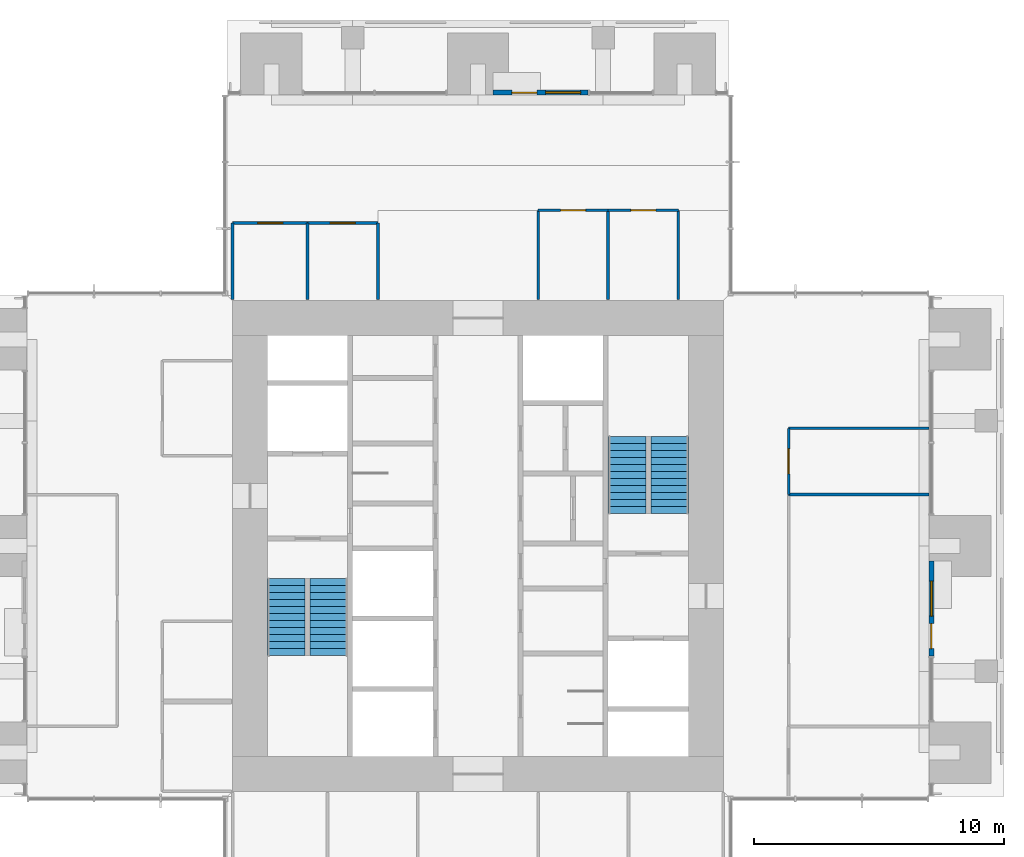
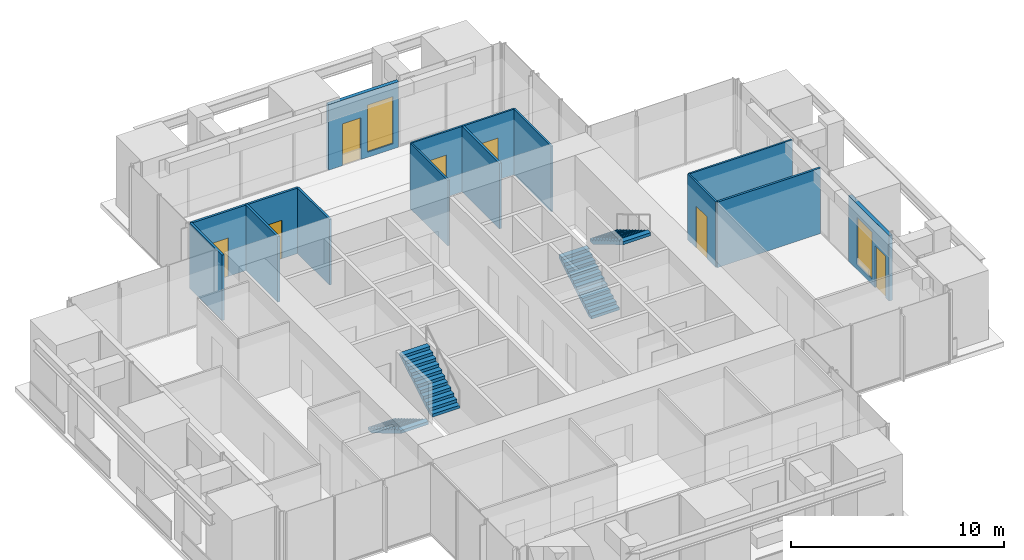
# One storey, part 14 of 17: 15 walls, 7 doors, 4 stair flights, 2 windows, 9 openings, 2 elements without a shape of their own.
"""IFC4 building model written with IfcOpenShell, lengths in metres."""

from ifc_helpers import new_model, si_unit, direction, frame, frame_2d, origin, place, context, subcontext, project, spatial, polyline, rectangle, outline, extrude, material, layer, layer_set, type_object, element, fill, aggregate, save


model = new_model("IFC4")

# Units and contexts
model_context = context("Model", 3, precision=1e-05, world=origin(), true_north=direction((0.0, 1.0)))
body_context = subcontext(model_context, "Body", "Model", "MODEL_VIEW")
ifc_project = project(units=[si_unit("LENGTHUNIT", "METRE"), si_unit("AREAUNIT", "SQUARE_METRE"), si_unit("VOLUMEUNIT", "CUBIC_METRE"), si_unit("PLANEANGLEUNIT", "RADIAN"), si_unit("MASSUNIT", "GRAM", prefix="KILO")], contexts=[model_context])

# Site, building, storey
site_placement = place(None, origin())
site = spatial("IfcSite", under=ifc_project, at=site_placement, CompositionType="ELEMENT")
building_placement = place(site_placement, origin())
building = spatial("IfcBuilding", under=site, at=building_placement, Name="Svetlomir Tower", CompositionType="ELEMENT")
storey_placement = place(building_placement, frame((0.0, 0.0, 202.5)))
storey = spatial("IfcBuildingStorey", under=building, at=storey_placement, Name="L48", CompositionType="ELEMENT", Elevation=202.5)

# Wall, openings, door, window
ifc_material_1 = material(Name="Bronze anodised aluminium glazed screen", Category="aluminium")
ifc_layer_1 = layer(ifc_material_1, 0.199951171875)
ifc_layer_set_1 = layer_set([ifc_layer_1], Name="Bronze anodised aluminium glazed screen")
wall_type_1 = type_object("IfcWallType", Name="BALCONY SCREEN WALL 200", PredefinedType="USERDEFINED", material=ifc_layer_set_1)
wall_1_placement = place(storey_placement, frame((39.10009765625, 16.60009765625, 0.0), z_axis=(0.0, 0.0, 1.0), x_axis=(0.0, 1.0, 0.0)))
wall_1 = element("IfcWall", 1, at=wall_1_placement, inside=storey, type_object=wall_type_1, Name="Balcony screen E", ObjectType="GLAZED SCREEN", PredefinedType="USERDEFINED", context=body_context, shape_type="SweptSolid", body=[
    extrude(rectangle(XDim=3.7998046875, YDim=0.199951171875, at=frame_2d((1.89990234375, 0.0))), origin(), (0.0, 0.0, 1.0), 3.75),
])
opening_1_placement = place(wall_1_placement, frame((0.300048828125, 0.0, 0.0)))
opening_1 = element("IfcOpeningElement", 2, at=opening_1_placement, cuts=wall_1, Name="Opening BD", PredefinedType="OPENING", context=body_context, shape_type="SweptSolid", body=[
    extrude(rectangle(XDim=1.0, YDim=2.39990234375, at=frame_2d((0.5, 1.199951171875))), frame((0.0, 0.10986328125, 0.0), z_axis=(0.0, -1.0, 0.0), x_axis=(1.0, 0.0, 0.0)), (0.0, 0.0, 1.0), 0.219970703125),
])
opening_2_placement = place(wall_1_placement, frame((1.60009765625, 0.0, 0.300048828125)))
opening_2 = element("IfcOpeningElement", 3, at=opening_2_placement, cuts=wall_1, Name="Opening WS2", PredefinedType="OPENING", context=body_context, shape_type="SweptSolid", body=[
    extrude(rectangle(XDim=1.39990234375, YDim=2.699951171875, at=frame_2d((0.699951171875, 1.35009765625))), frame((0.0, 0.10986328125, 0.0), z_axis=(0.0, -1.0, 0.0), x_axis=(1.0, 0.0, 0.0)), (0.0, 0.0, 1.0), 0.219970703125),
])
ifc_material_2 = material(Name="Bronze anodised aluminium glazed door", Category="aluminium")
door_type_1 = type_object("IfcDoorType", Name="BALCONY DOOR BD 1000x2400", OperationType="SINGLE_SWING_LEFT", PredefinedType="DOOR", material=ifc_material_2)
door_1_placement = place(opening_1_placement, origin())
door_1 = element("IfcDoor", 4, at=door_1_placement, inside=storey, type_object=door_type_1, Name="Balcony screen E door", OperationType="SINGLE_SWING_LEFT", OverallHeight=2.39990234375, OverallWidth=1.0, PredefinedType="DOOR", context=body_context, shape_type="SweptSolid", body=[
    extrude(rectangle(XDim=1.0, YDim=2.39990234375, at=frame_2d((0.5, 1.199951171875))), frame((0.0, 0.02490234375, 0.0), z_axis=(0.0, -1.0, 0.0), x_axis=(1.0, 0.0, 0.0)), (0.0, 0.0, 1.0), 0.050048828125),
])
fill(opening_1, door_1)
ifc_material_3 = material(Name="Bronze anodised aluminium window", Category="aluminium")
window_type = type_object("IfcWindowType", Name="SCREEN WINDOW WS2 1400x2700", PartitioningType="SINGLE_PANEL", PredefinedType="WINDOW", material=ifc_material_3)
window_1_placement = place(opening_2_placement, origin())
window_1 = element("IfcWindow", 5, at=window_1_placement, inside=storey, type_object=window_type, Name="Balcony screen E window 1", OverallHeight=2.699951171875, OverallWidth=1.39990234375, PartitioningType="SINGLE_PANEL", PredefinedType="WINDOW", context=body_context, shape_type="SweptSolid", body=[
    extrude(rectangle(XDim=1.39990234375, YDim=2.699951171875, at=frame_2d((0.699951171875, 1.35009765625))), frame((0.0, 0.030029296875, 0.0), z_axis=(0.0, -1.0, 0.0), x_axis=(1.0, 0.0, 0.0)), (0.0, 0.0, 1.0), 0.06005859375),
])
fill(opening_2, window_1)

wall_2_placement = place(storey_placement, frame((25.39990234375, 39.10009765625, 0.0), z_axis=(0.0, 0.0, 1.0), x_axis=(-1.0, 0.0, 0.0)))
wall_2 = element("IfcWall", 6, at=wall_2_placement, inside=storey, type_object=wall_type_1, Name="Balcony screen N", ObjectType="GLAZED SCREEN", PredefinedType="USERDEFINED", context=body_context, shape_type="SweptSolid", body=[
    extrude(rectangle(XDim=3.7998046875, YDim=0.199951171875, at=frame_2d((1.89990234375, 0.0))), origin(), (0.0, 0.0, 1.0), 3.75),
])
opening_3_placement = place(wall_2_placement, frame((2.050048828125, 0.0, 0.0)))
opening_3 = element("IfcOpeningElement", 7, at=opening_3_placement, cuts=wall_2, Name="Opening BD", PredefinedType="OPENING", context=body_context, shape_type="SweptSolid", body=[
    extrude(rectangle(XDim=1.0, YDim=2.39990234375, at=frame_2d((0.5, 1.199951171875))), frame((0.0, 0.10986328125, 0.0), z_axis=(0.0, -1.0, 0.0), x_axis=(1.0, 0.0, 0.0)), (0.0, 0.0, 1.0), 0.219970703125),
])
opening_4_placement = place(wall_2_placement, frame((0.300048828125, 0.0, 0.300048828125)))
opening_4 = element("IfcOpeningElement", 8, at=opening_4_placement, cuts=wall_2, Name="Opening WS2", PredefinedType="OPENING", context=body_context, shape_type="SweptSolid", body=[
    extrude(rectangle(XDim=1.39990234375, YDim=2.699951171875, at=frame_2d((0.699951171875, 1.35009765625))), frame((0.0, 0.10986328125, 0.0), z_axis=(0.0, -1.0, 0.0), x_axis=(1.0, 0.0, 0.0)), (0.0, 0.0, 1.0), 0.219970703125),
])
door_2_placement = place(opening_3_placement, origin())
door_2 = element("IfcDoor", 9, at=door_2_placement, inside=storey, type_object=door_type_1, Name="Balcony screen N door", OperationType="SINGLE_SWING_LEFT", OverallHeight=2.39990234375, OverallWidth=1.0, PredefinedType="DOOR", context=body_context, shape_type="SweptSolid", body=[
    extrude(rectangle(XDim=1.0, YDim=2.39990234375, at=frame_2d((0.5, 1.199951171875))), frame((0.0, 0.02490234375, 0.0), z_axis=(0.0, -1.0, 0.0), x_axis=(1.0, 0.0, 0.0)), (0.0, 0.0, 1.0), 0.050048828125),
])
fill(opening_3, door_2)
window_2_placement = place(opening_4_placement, origin())
window_2 = element("IfcWindow", 10, at=window_2_placement, inside=storey, type_object=window_type, Name="Balcony screen N window 1", OverallHeight=2.699951171875, OverallWidth=1.39990234375, PartitioningType="SINGLE_PANEL", PredefinedType="WINDOW", context=body_context, shape_type="SweptSolid", body=[
    extrude(rectangle(XDim=1.39990234375, YDim=2.699951171875, at=frame_2d((0.699951171875, 1.35009765625))), frame((0.0, 0.030029296875, 0.0), z_axis=(0.0, -1.0, 0.0), x_axis=(1.0, 0.0, 0.0)), (0.0, 0.0, 1.0), 0.06005859375),
])
fill(opening_4, window_2)

# Wall
ifc_material_4 = material(Name="Framed laminated glass partition", Category="glass")
ifc_layer_2 = layer(ifc_material_4, 0.10009765625)
ifc_layer_set_2 = layer_set([ifc_layer_2], Name="Framed laminated glass partition")
wall_type_2 = type_object("IfcWallType", Name="GLAZED PARTITION 100", PredefinedType="PARTITIONING", material=ifc_layer_set_2)
wall_3_placement = place(storey_placement, frame((23.39990234375, 30.85009765625, 0.0), z_axis=(0.0, 0.0, 1.0), x_axis=(0.0, 1.0, 0.0)))
element("IfcWall", 11, at=wall_3_placement, inside=storey, type_object=wall_type_2, Name="Glazed partition L48", PredefinedType="PARTITIONING", context=body_context, shape_type="SweptSolid", body=[
    extrude(rectangle(XDim=3.5498046875, YDim=0.10009765625, at=frame_2d((1.77490234375, 0.0))), origin(), (0.0, 0.0, 1.0), 3.75),
])

# Wall, opening, door
wall_4_placement = place(storey_placement, frame((23.39990234375, 34.39990234375, 0.0), z_axis=(0.0, 0.0, 1.0), x_axis=(1.0, 0.0, 0.0)))
wall_4 = element("IfcWall", 12, at=wall_4_placement, inside=storey, type_object=wall_type_2, Name="Glazed partition L48", PredefinedType="PARTITIONING", context=body_context, shape_type="SweptSolid", body=[
    extrude(rectangle(XDim=2.800048828125, YDim=0.10009765625, at=frame_2d((1.39990234375, 0.0))), origin(), (0.0, 0.0, 1.0), 3.75),
])
opening_5_placement = place(wall_4_placement, frame((0.89990234375, 0.0, 0.0)))
opening_5 = element("IfcOpeningElement", 13, at=opening_5_placement, cuts=wall_4, Name="Opening DG", PredefinedType="OPENING", context=body_context, shape_type="SweptSolid", body=[
    extrude(rectangle(XDim=1.0, YDim=2.39990234375, at=frame_2d((0.5, 1.199951171875))), frame((0.0, 0.06005859375, 0.0), z_axis=(0.0, -1.0, 0.0), x_axis=(1.0, 0.0, 0.0)), (0.0, 0.0, 1.0), 0.1201171875),
])
ifc_material_5 = material(Name="Framed laminated glass door", Category="glass")
door_type_2 = type_object("IfcDoorType", Name="GLAZED DOOR DG 1000x2400", OperationType="SINGLE_SWING_LEFT", PredefinedType="DOOR", material=ifc_material_5)
door_3_placement = place(opening_5_placement, origin())
door_3 = element("IfcDoor", 14, at=door_3_placement, inside=storey, type_object=door_type_2, Name="Focus room 1 door L48", OperationType="SINGLE_SWING_LEFT", OverallHeight=2.39990234375, OverallWidth=1.0, PredefinedType="DOOR", context=body_context, shape_type="SweptSolid", body=[
    extrude(rectangle(XDim=1.0, YDim=2.39990234375, at=frame_2d((0.5, 1.199951171875))), frame((0.0, 0.02490234375, 0.0), z_axis=(0.0, -1.0, 0.0), x_axis=(1.0, 0.0, 0.0)), (0.0, 0.0, 1.0), 0.050048828125),
])
fill(opening_5, door_3)

wall_5_placement = place(storey_placement, frame((26.199951171875, 34.39990234375, 0.0), z_axis=(0.0, 0.0, 1.0), x_axis=(1.0, 0.0, 0.0)))
wall_5 = element("IfcWall", 15, at=wall_5_placement, inside=storey, type_object=wall_type_2, Name="Glazed partition L48", PredefinedType="PARTITIONING", context=body_context, shape_type="SweptSolid", body=[
    extrude(rectangle(XDim=2.800048828125, YDim=0.10009765625, at=frame_2d((1.39990234375, 0.0))), origin(), (0.0, 0.0, 1.0), 3.75),
])
opening_6_placement = place(wall_5_placement, frame((0.89990234375, 0.0, 0.0)))
opening_6 = element("IfcOpeningElement", 16, at=opening_6_placement, cuts=wall_5, Name="Opening DG", PredefinedType="OPENING", context=body_context, shape_type="SweptSolid", body=[
    extrude(rectangle(XDim=1.0, YDim=2.39990234375, at=frame_2d((0.5, 1.199951171875))), frame((0.0, 0.06005859375, 0.0), z_axis=(0.0, -1.0, 0.0), x_axis=(1.0, 0.0, 0.0)), (0.0, 0.0, 1.0), 0.1201171875),
])
door_4_placement = place(opening_6_placement, origin())
door_4 = element("IfcDoor", 17, at=door_4_placement, inside=storey, type_object=door_type_2, Name="Focus room 2 door L48", OperationType="SINGLE_SWING_RIGHT", OverallHeight=2.39990234375, OverallWidth=1.0, PredefinedType="DOOR", context=body_context, shape_type="SweptSolid", body=[
    extrude(rectangle(XDim=1.0, YDim=2.39990234375, at=frame_2d((0.5, 1.199951171875))), frame((0.0, 0.02490234375, 0.0), z_axis=(0.0, -1.0, 0.0), x_axis=(1.0, 0.0, 0.0)), (0.0, 0.0, 1.0), 0.050048828125),
])
fill(opening_6, door_4)

# Wall
wall_6_placement = place(storey_placement, frame((29.0, 30.85009765625, 0.0), z_axis=(0.0, 0.0, 1.0), x_axis=(0.0, 1.0, 0.0)))
element("IfcWall", 18, at=wall_6_placement, inside=storey, type_object=wall_type_2, Name="Glazed partition L48", PredefinedType="PARTITIONING", context=body_context, shape_type="SweptSolid", body=[
    extrude(rectangle(XDim=3.5498046875, YDim=0.10009765625, at=frame_2d((1.77490234375, 0.0))), origin(), (0.0, 0.0, 1.0), 3.75),
])

# Wall, opening, door
wall_7_placement = place(storey_placement, frame((33.39990234375, 23.050048828125, 0.0), z_axis=(0.0, 0.0, 1.0), x_axis=(0.0, 1.0, 0.0)))
wall_7 = element("IfcWall", 19, at=wall_7_placement, inside=storey, type_object=wall_type_2, Name="Glazed partition L48", PredefinedType="PARTITIONING", context=body_context, shape_type="SweptSolid", body=[
    extrude(rectangle(XDim=2.64990234375, YDim=0.10009765625, at=frame_2d((1.324951171875, 0.0))), origin(), (0.0, 0.0, 1.0), 3.75),
])
opening_7_placement = place(wall_7_placement, frame((0.824951171875, 0.0, 0.0)))
opening_7 = element("IfcOpeningElement", 20, at=opening_7_placement, cuts=wall_7, Name="Opening DG", PredefinedType="OPENING", context=body_context, shape_type="SweptSolid", body=[
    extrude(rectangle(XDim=1.0, YDim=2.39990234375, at=frame_2d((0.5, 1.199951171875))), frame((0.0, 0.06005859375, 0.0), z_axis=(0.0, -1.0, 0.0), x_axis=(1.0, 0.0, 0.0)), (0.0, 0.0, 1.0), 0.1201171875),
])
door_5_placement = place(opening_7_placement, origin())
door_5 = element("IfcDoor", 21, at=door_5_placement, inside=storey, type_object=door_type_2, Name="Retrospective room, 12 seats door L48", OperationType="SINGLE_SWING_RIGHT", OverallHeight=2.39990234375, OverallWidth=1.0, PredefinedType="DOOR", context=body_context, shape_type="SweptSolid", body=[
    extrude(rectangle(XDim=1.0, YDim=2.39990234375, at=frame_2d((0.5, 1.199951171875))), frame((0.0, 0.02490234375, 0.0), z_axis=(0.0, -1.0, 0.0), x_axis=(1.0, 0.0, 0.0)), (0.0, 0.0, 1.0), 0.050048828125),
])
fill(opening_7, door_5)

# Walls
wall_8_placement = place(storey_placement, frame((33.39990234375, 25.699951171875, 0.0), z_axis=(0.0, 0.0, 1.0), x_axis=(1.0, 0.0, 0.0)))
element("IfcWall", 22, at=wall_8_placement, inside=storey, type_object=wall_type_2, Name="Glazed partition L48", PredefinedType="PARTITIONING", context=body_context, shape_type="SweptSolid", body=[
    extrude(rectangle(XDim=5.60009765625, YDim=0.10009765625, at=frame_2d((2.800048828125, 0.0))), origin(), (0.0, 0.0, 1.0), 3.75),
])
ifc_material_6 = material(Name="Gypsum board on steel studs", Category="steel")
ifc_layer_3 = layer(ifc_material_6, 0.1201171875)
ifc_layer_set_3 = layer_set([ifc_layer_3], Name="Gypsum board on steel studs")
wall_type_3 = type_object("IfcWallType", Name="PARTITION 120", PredefinedType="PARTITIONING", material=ifc_layer_set_3)
wall_9_placement = place(storey_placement, frame((11.199951171875, 30.85009765625, 0.0), z_axis=(0.0, 0.0, 1.0), x_axis=(0.0, 1.0, 0.0)))
element("IfcWall", 23, at=wall_9_placement, inside=storey, type_object=wall_type_3, Name="Partition L48", PredefinedType="PARTITIONING", context=body_context, shape_type="SweptSolid", body=[
    extrude(rectangle(XDim=3.0498046875, YDim=0.1201171875, at=frame_2d((1.52490234375, 0.0))), origin(), (0.0, 0.0, 1.0), 3.75),
])

# Wall, opening, door
wall_10_placement = place(storey_placement, frame((11.199951171875, 33.89990234375, 0.0), z_axis=(0.0, 0.0, 1.0), x_axis=(1.0, 0.0, 0.0)))
wall_10 = element("IfcWall", 24, at=wall_10_placement, inside=storey, type_object=wall_type_3, Name="Partition L48", PredefinedType="PARTITIONING", context=body_context, shape_type="SweptSolid", body=[
    extrude(rectangle(XDim=3.0, YDim=0.1201171875, at=frame_2d((1.5, 0.0))), origin(), (0.0, 0.0, 1.0), 3.75),
])
opening_8_placement = place(wall_10_placement, frame((1.0, 0.0, 0.0)))
opening_8 = element("IfcOpeningElement", 25, at=opening_8_placement, cuts=wall_10, Name="Opening DR", PredefinedType="OPENING", context=body_context, shape_type="SweptSolid", body=[
    extrude(rectangle(XDim=1.0, YDim=2.199951171875, at=frame_2d((0.5, 1.10009765625))), frame((0.0, 0.070068359375, 0.0), z_axis=(0.0, -1.0, 0.0), x_axis=(1.0, 0.0, 0.0)), (0.0, 0.0, 1.0), 0.14013671875),
])
ifc_material_7 = material(Name="Timber door, glazed side light", Category="wood")
door_type_3 = type_object("IfcDoorType", Name="DOOR DR 1000x2200", OperationType="SINGLE_SWING_LEFT", PredefinedType="DOOR", material=ifc_material_7)
door_6_placement = place(opening_8_placement, origin())
door_6 = element("IfcDoor", 26, at=door_6_placement, inside=storey, type_object=door_type_3, Name="Print and copy room door L48", OperationType="SINGLE_SWING_LEFT", OverallHeight=2.199951171875, OverallWidth=1.0, PredefinedType="DOOR", context=body_context, shape_type="SweptSolid", body=[
    extrude(rectangle(XDim=1.0, YDim=2.199951171875, at=frame_2d((0.5, 1.10009765625))), frame((0.0, 0.02490234375, 0.0), z_axis=(0.0, -1.0, 0.0), x_axis=(1.0, 0.0, 0.0)), (0.0, 0.0, 1.0), 0.050048828125),
])
fill(opening_8, door_6)

# Wall
wall_11_placement = place(storey_placement, frame((14.199951171875, 30.85009765625, 0.0), z_axis=(0.0, 0.0, 1.0), x_axis=(0.0, 1.0, 0.0)))
element("IfcWall", 27, at=wall_11_placement, inside=storey, type_object=wall_type_3, Name="Partition L48", PredefinedType="PARTITIONING", context=body_context, shape_type="SweptSolid", body=[
    extrude(rectangle(XDim=3.0498046875, YDim=0.1201171875, at=frame_2d((1.52490234375, 0.0))), origin(), (0.0, 0.0, 1.0), 3.75),
])

# Wall, opening, door
wall_12_placement = place(storey_placement, frame((14.199951171875, 33.89990234375, 0.0), z_axis=(0.0, 0.0, 1.0), x_axis=(1.0, 0.0, 0.0)))
wall_12 = element("IfcWall", 28, at=wall_12_placement, inside=storey, type_object=wall_type_3, Name="Partition L48", PredefinedType="PARTITIONING", context=body_context, shape_type="SweptSolid", body=[
    extrude(rectangle(XDim=2.800048828125, YDim=0.1201171875, at=frame_2d((1.39990234375, 0.0))), origin(), (0.0, 0.0, 1.0), 3.75),
])
opening_9_placement = place(wall_12_placement, frame((0.89990234375, 0.0, 0.0)))
opening_9 = element("IfcOpeningElement", 29, at=opening_9_placement, cuts=wall_12, Name="Opening DR", PredefinedType="OPENING", context=body_context, shape_type="SweptSolid", body=[
    extrude(rectangle(XDim=1.0, YDim=2.199951171875, at=frame_2d((0.5, 1.10009765625))), frame((0.0, 0.070068359375, 0.0), z_axis=(0.0, -1.0, 0.0), x_axis=(1.0, 0.0, 0.0)), (0.0, 0.0, 1.0), 0.14013671875),
])
door_7_placement = place(opening_9_placement, origin())
door_7 = element("IfcDoor", 30, at=door_7_placement, inside=storey, type_object=door_type_3, Name="Device store door L48", OperationType="SINGLE_SWING_RIGHT", OverallHeight=2.199951171875, OverallWidth=1.0, PredefinedType="DOOR", context=body_context, shape_type="SweptSolid", body=[
    extrude(rectangle(XDim=1.0, YDim=2.199951171875, at=frame_2d((0.5, 1.10009765625))), frame((0.0, 0.02490234375, 0.0), z_axis=(0.0, -1.0, 0.0), x_axis=(1.0, 0.0, 0.0)), (0.0, 0.0, 1.0), 0.050048828125),
])
fill(opening_9, door_7)

# Walls
wall_13_placement = place(storey_placement, frame((17.0, 30.85009765625, 0.0), z_axis=(0.0, 0.0, 1.0), x_axis=(0.0, 1.0, 0.0)))
element("IfcWall", 31, at=wall_13_placement, inside=storey, type_object=wall_type_3, Name="Partition L48", PredefinedType="PARTITIONING", context=body_context, shape_type="SweptSolid", body=[
    extrude(rectangle(XDim=3.0498046875, YDim=0.1201171875, at=frame_2d((1.52490234375, 0.0))), origin(), (0.0, 0.0, 1.0), 3.75),
])
wall_14_placement = place(storey_placement, frame((26.199951171875, 30.85009765625, 0.0), z_axis=(0.0, 0.0, 1.0), x_axis=(0.0, 1.0, 0.0)))
element("IfcWall", 32, at=wall_14_placement, inside=storey, type_object=wall_type_3, Name="Partition L48", PredefinedType="PARTITIONING", context=body_context, shape_type="SweptSolid", body=[
    extrude(rectangle(XDim=3.5498046875, YDim=0.1201171875, at=frame_2d((1.77490234375, 0.0))), origin(), (0.0, 0.0, 1.0), 3.75),
])
wall_15_placement = place(storey_placement, frame((33.39990234375, 23.050048828125, 0.0), z_axis=(0.0, 0.0, 1.0), x_axis=(1.0, 0.0, 0.0)))
element("IfcWall", 33, at=wall_15_placement, inside=storey, type_object=wall_type_3, Name="Partition L48", PredefinedType="PARTITIONING", context=body_context, shape_type="SweptSolid", body=[
    extrude(rectangle(XDim=5.60009765625, YDim=0.1201171875, at=frame_2d((2.800048828125, 0.0))), origin(), (0.0, 0.0, 1.0), 3.75),
])

# Stair, stair flights
ifc_material_8 = material(Name="Concrete C60/75", Category="concrete")
stair_type = type_object("IfcStairType", Name="EXIT STAIR 3200 RISE 4000", PredefinedType="HALF_TURN_STAIR", material=ifc_material_8)
stair_1_placement = place(storey_placement, origin())
stair_1 = element("IfcStair", 34, at=stair_1_placement, inside=storey, type_object=stair_type, Name="Stair S1 L48 to L49", PredefinedType="HALF_TURN_STAIR")
ifc_material_9 = material(Name="Concrete C60/75", Category="concrete")
stair_flight_type = type_object("IfcStairFlightType", Name="STAIR FLIGHT 1500 OF 12 RISERS", PredefinedType="STRAIGHT", material=ifc_material_9)
stair_flight_1_placement = place(storey_placement, frame((13.35009765625, 19.699951171875, 0.0), z_axis=(0.0, 0.0, 1.0), x_axis=(0.0, -1.0, 0.0)))
stair_flight_1 = element("IfcStairFlight", 35, at=stair_flight_1_placement, type_object=stair_flight_type, Name="S1 flight 1", NumberOfRisers=12, NumberOfTreads=11, PredefinedType="STRAIGHT", RiserHeight=0.166666667, TreadLength=0.28, context=body_context, shape_type="SweptSolid", body=[
    extrude(outline(polyline([(0.0, 0.0), (0.0, 0.166748046875), (0.280029296875, 0.166748046875), (0.280029296875, 0.333251953125), (0.56005859375, 0.333251953125), (0.56005859375, 0.5), (0.840087890625, 0.5), (0.840087890625, 0.666748046875), (1.1201171875, 0.666748046875), (1.1201171875, 0.833251953125), (1.39990234375, 0.833251953125), (1.39990234375, 1.0), (1.679931640625, 1.0), (1.679931640625, 1.166748046875), (1.9599609375, 1.166748046875), (1.9599609375, 1.333251953125), (2.239990234375, 1.333251953125), (2.239990234375, 1.5), (2.52001953125, 1.5), (2.52001953125, 1.666748046875), (2.800048828125, 1.666748046875), (2.800048828125, 1.833251953125), (3.080078125, 1.833251953125), (3.080078125, 2.0), (3.080078125, 1.658935546875), (0.29296875, 0.0), (0.0, 0.0)])), frame((0.0, 0.75, 0.0), z_axis=(0.0, -1.0, 0.0), x_axis=(1.0, 0.0, 0.0)), (0.0, 0.0, 1.0), 1.5),
])
stair_flight_2_placement = place(storey_placement, frame((15.050048828125, 16.6201171875, 2.0), z_axis=(0.0, 0.0, 1.0), x_axis=(0.0, 1.0, 0.0)))
stair_flight_2 = element("IfcStairFlight", 36, at=stair_flight_2_placement, type_object=stair_flight_type, Name="S1 flight 2", NumberOfRisers=12, NumberOfTreads=11, PredefinedType="STRAIGHT", RiserHeight=0.166666667, TreadLength=0.28, context=body_context, shape_type="SweptSolid", body=[
    extrude(outline(polyline([(0.0, 0.0), (0.0, 0.166748046875), (0.280029296875, 0.166748046875), (0.280029296875, 0.333251953125), (0.56005859375, 0.333251953125), (0.56005859375, 0.5), (0.840087890625, 0.5), (0.840087890625, 0.666748046875), (1.1201171875, 0.666748046875), (1.1201171875, 0.833251953125), (1.39990234375, 0.833251953125), (1.39990234375, 1.0), (1.679931640625, 1.0), (1.679931640625, 1.166748046875), (1.9599609375, 1.166748046875), (1.9599609375, 1.333251953125), (2.239990234375, 1.333251953125), (2.239990234375, 1.5), (2.52001953125, 1.5), (2.52001953125, 1.666748046875), (2.800048828125, 1.666748046875), (2.800048828125, 1.833251953125), (3.080078125, 1.833251953125), (3.080078125, 2.0), (3.080078125, 1.658935546875), (0.29296875, 0.0), (0.0, 0.0)])), frame((0.0, 0.75, 0.0), z_axis=(0.0, -1.0, 0.0), x_axis=(1.0, 0.0, 0.0)), (0.0, 0.0, 1.0), 1.5),
])
aggregate(stair_1, [stair_flight_1, stair_flight_2])

stair_2_placement = place(storey_placement, origin())
stair_2 = element("IfcStair", 37, at=stair_2_placement, inside=storey, type_object=stair_type, Name="Stair S2 L48 to L49", PredefinedType="HALF_TURN_STAIR")
stair_flight_3_placement = place(storey_placement, frame((26.949951171875, 22.300048828125, 0.0), z_axis=(0.0, 0.0, 1.0), x_axis=(0.0, 1.0, 0.0)))
stair_flight_3 = element("IfcStairFlight", 38, at=stair_flight_3_placement, type_object=stair_flight_type, Name="S2 flight 1", NumberOfRisers=12, NumberOfTreads=11, PredefinedType="STRAIGHT", RiserHeight=0.166666667, TreadLength=0.28, context=body_context, shape_type="SweptSolid", body=[
    extrude(outline(polyline([(0.0, 0.0), (0.0, 0.166748046875), (0.280029296875, 0.166748046875), (0.280029296875, 0.333251953125), (0.56005859375, 0.333251953125), (0.56005859375, 0.5), (0.840087890625, 0.5), (0.840087890625, 0.666748046875), (1.1201171875, 0.666748046875), (1.1201171875, 0.833251953125), (1.39990234375, 0.833251953125), (1.39990234375, 1.0), (1.679931640625, 1.0), (1.679931640625, 1.166748046875), (1.9599609375, 1.166748046875), (1.9599609375, 1.333251953125), (2.239990234375, 1.333251953125), (2.239990234375, 1.5), (2.52001953125, 1.5), (2.52001953125, 1.666748046875), (2.800048828125, 1.666748046875), (2.800048828125, 1.833251953125), (3.080078125, 1.833251953125), (3.080078125, 2.0), (3.080078125, 1.658935546875), (0.29296875, 0.0), (0.0, 0.0)])), frame((0.0, 0.75, 0.0), z_axis=(0.0, -1.0, 0.0), x_axis=(1.0, 0.0, 0.0)), (0.0, 0.0, 1.0), 1.5),
])
stair_flight_4_placement = place(storey_placement, frame((28.64990234375, 25.3798828125, 2.0), z_axis=(0.0, 0.0, 1.0), x_axis=(0.0, -1.0, 0.0)))
stair_flight_4 = element("IfcStairFlight", 39, at=stair_flight_4_placement, type_object=stair_flight_type, Name="S2 flight 2", NumberOfRisers=12, NumberOfTreads=11, PredefinedType="STRAIGHT", RiserHeight=0.166666667, TreadLength=0.28, context=body_context, shape_type="SweptSolid", body=[
    extrude(outline(polyline([(0.0, 0.0), (0.0, 0.166748046875), (0.280029296875, 0.166748046875), (0.280029296875, 0.333251953125), (0.56005859375, 0.333251953125), (0.56005859375, 0.5), (0.840087890625, 0.5), (0.840087890625, 0.666748046875), (1.1201171875, 0.666748046875), (1.1201171875, 0.833251953125), (1.39990234375, 0.833251953125), (1.39990234375, 1.0), (1.679931640625, 1.0), (1.679931640625, 1.166748046875), (1.9599609375, 1.166748046875), (1.9599609375, 1.333251953125), (2.239990234375, 1.333251953125), (2.239990234375, 1.5), (2.52001953125, 1.5), (2.52001953125, 1.666748046875), (2.800048828125, 1.666748046875), (2.800048828125, 1.833251953125), (3.080078125, 1.833251953125), (3.080078125, 2.0), (3.080078125, 1.658935546875), (0.29296875, 0.0), (0.0, 0.0)])), frame((0.0, 0.75, 0.0), z_axis=(0.0, -1.0, 0.0), x_axis=(1.0, 0.0, 0.0)), (0.0, 0.0, 1.0), 1.5),
])
aggregate(stair_2, [stair_flight_3, stair_flight_4])

save(model, "model.ifc")
